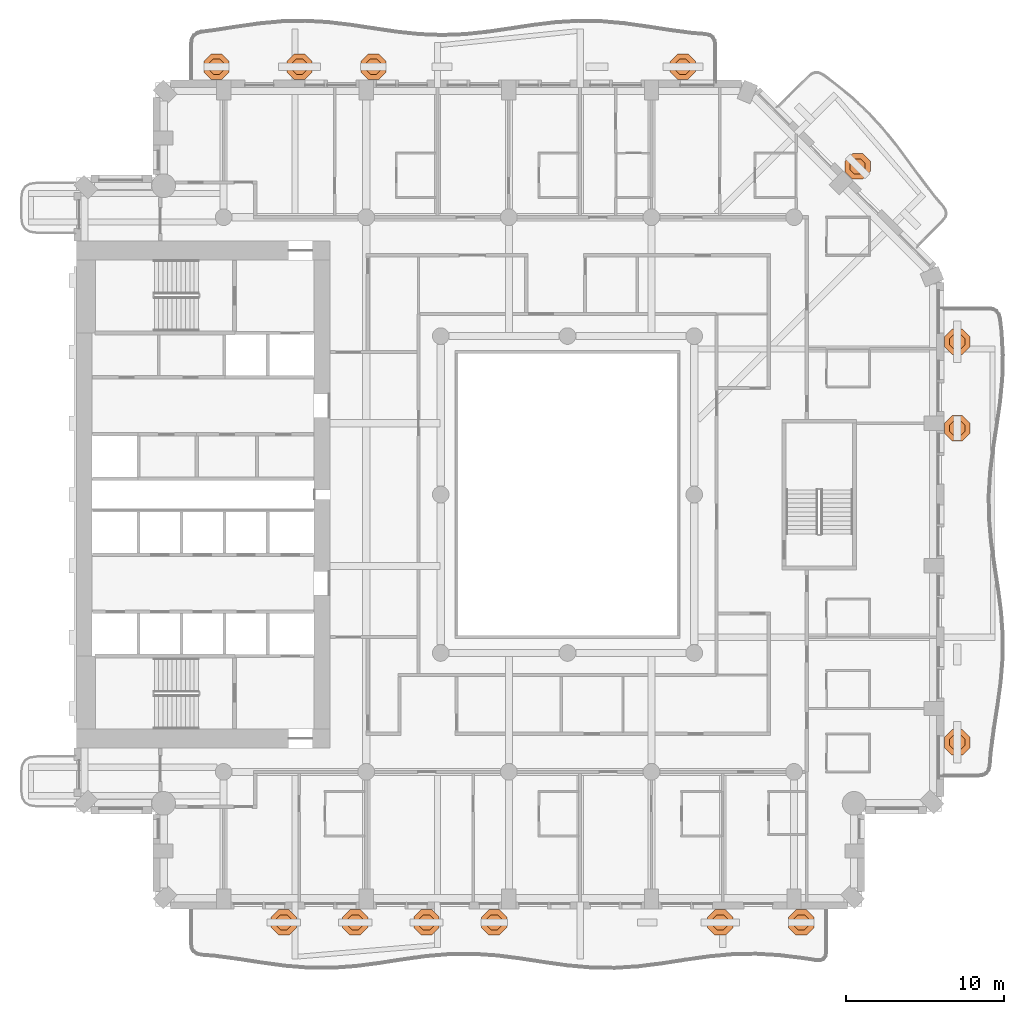
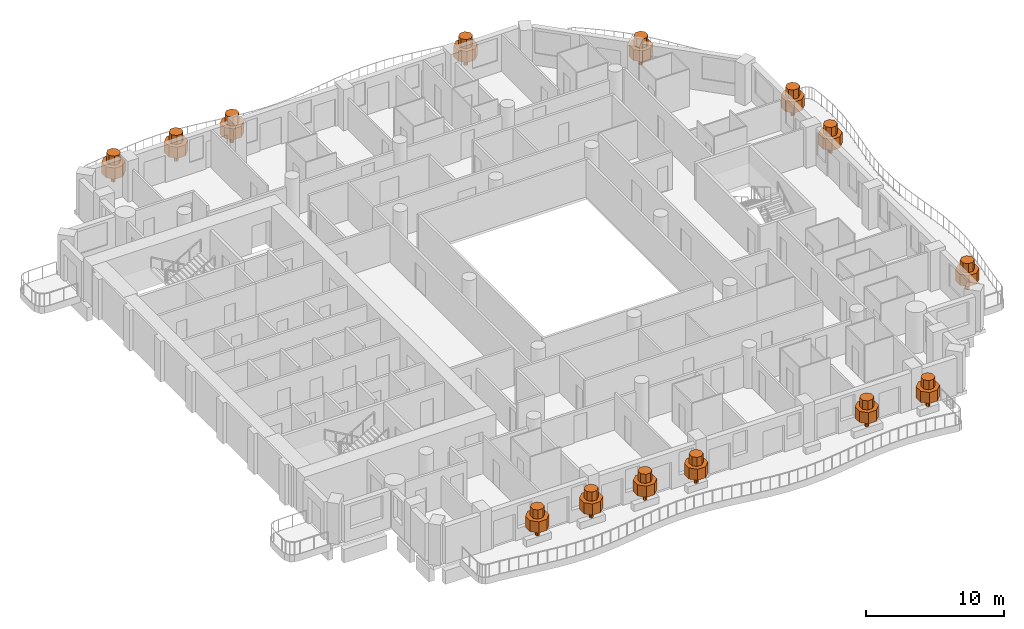
# One storey, part 20 of 20: 14 geographic elements.
"""IFC4 building model written with IfcOpenShell, lengths in metres."""

from ifc_helpers import new_model, si_unit, direction, frame, origin, place, context, subcontext, project, spatial, polyline, outline, extrude, material, type_object, element, save


model = new_model("IFC4")

# Units and contexts
model_context = context("Model", 3, precision=1e-05, world=origin(), true_north=direction((0.0, 1.0)))
body_context = subcontext(model_context, "Body", "Model", "MODEL_VIEW")
ifc_project = project(units=[si_unit("LENGTHUNIT", "METRE"), si_unit("AREAUNIT", "SQUARE_METRE"), si_unit("VOLUMEUNIT", "CUBIC_METRE"), si_unit("PLANEANGLEUNIT", "RADIAN"), si_unit("MASSUNIT", "GRAM", prefix="KILO")], contexts=[model_context])

# Site, building, storey
site_placement = place(None, origin())
site = spatial("IfcSite", under=ifc_project, at=site_placement, CompositionType="ELEMENT")
building_placement = place(site_placement, origin())
building = spatial("IfcBuilding", under=site, at=building_placement, Name="Cypress Arch Tower", CompositionType="ELEMENT")
storey_placement = place(building_placement, frame((0.0, 0.0, 131.10009765625)))
storey = spatial("IfcBuildingStorey", under=building, at=storey_placement, Name="L28", CompositionType="ELEMENT", Elevation=131.10009765625)

# Geographic elements
ifc_material = material(Name="Foliage and planting")
geographic_element_type = type_object("IfcGeographicElementType", Name="Balcony tree TR", PredefinedType="USERDEFINED", material=ifc_material)
for number, where, z_axis, x_axis, name in (
    (1, (-16.89990234375, -27.0, 0.599853515625), (0.0, 0.0, 1.0), (1.0, 0.0, 0.0), "Balcony tree L28-A03.1"),
    (2, (-12.39990234375, -27.0, 0.599853515625), (0.0, 0.0, 1.0), (1.0, 0.0, 0.0), "Balcony tree L28-A03.2"),
    (3, (-7.89990234375, -27.0, 0.599853515625), (0.0, 0.0, 1.0), (1.0, 0.0, 0.0), "Balcony tree L28-A03.3"),
    (4, (-3.625, -27.0, 0.599853515625), (0.0, 0.0, 1.0), (1.0, 0.0, 0.0), "Balcony tree L28-A03.4"),
    (5, (10.639892578125, -27.0, 0.599853515625), (0.0, 0.0, 1.0), (1.0, 0.0, 0.0), "Balcony tree L28-A03.6"),
    (6, (15.75, -27.0, 0.599853515625), (0.0, 0.0, 1.0), (1.0, 0.0, 0.0), "Balcony tree L28-A03.7"),
    (7, (25.60009765625, -15.642822265625, 0.599853515625), (0.0, 0.0, 1.0), (1.0, 0.0, 0.0), "Balcony tree L28-A06.1"),
    (8, (25.60009765625, 4.1826171875, 0.599853515625), (0.0, 0.0, 1.0), (1.0, 0.0, 0.0), "Balcony tree L28-A06.3"),
    (9, (25.60009765625, 9.642822265625, 0.599853515625), (0.0, 0.0, 1.0), (1.0, 0.0, 0.0), "Balcony tree L28-A06.4"),
    (10, (19.30712890625, 20.70703125, 0.599853515625), (0.0, 0.0, 1.0), (1.0, 0.0, 0.0), "Balcony tree L28-A07.2"),
    (11, (8.28125, 27.0, 0.599853515625), (0.0, 0.0, 1.0), (1.0, 0.0, 0.0), "Balcony tree L28-A08.1"),
    (12, (-11.24365234375, 27.0, 0.599853515625), (0.0, 0.0, 1.0), (1.0, 0.0, 0.0), "Balcony tree L28-A08.4"),
    (13, (-15.91259765625, 27.0, 0.599853515625), (0.0, 0.0, 1.0), (1.0, 0.0, 0.0), "Balcony tree L28-A08.5"),
    (14, (-21.14990234375, 27.0, 0.599853515625), (0.0, 0.0, 1.0), (1.0, 0.0, 0.0), "Balcony tree L28-A08.6"),
):
    element("IfcGeographicElement", number, at=place(storey_placement, frame(where, z_axis=z_axis, x_axis=x_axis)), inside=storey, type_object=geographic_element_type, Name=name, ObjectType="TREE", PredefinedType="USERDEFINED", context=body_context, shape_type="SweptSolid", body=[
        extrude(outline(polyline([(0.14990234375, 0.06201171875), (0.06201171875, 0.14990234375), (-0.06201171875, 0.14990234375), (-0.14990234375, 0.06201171875), (-0.14990234375, -0.06201171875), (-0.06201171875, -0.14990234375), (0.06201171875, -0.14990234375), (0.14990234375, -0.06201171875), (0.14990234375, 0.06201171875)])), origin(), (0.0, 0.0, 1.0), 0.864990234375),
        extrude(outline(polyline([(0.800048828125, 0.331298828125), (0.331298828125, 0.800048828125), (-0.331298828125, 0.800048828125), (-0.800048828125, 0.331298828125), (-0.800048828125, -0.331298828125), (-0.331298828125, -0.800048828125), (0.331298828125, -0.800048828125), (0.800048828125, -0.331298828125), (0.800048828125, 0.331298828125)])), frame((0.0, 0.0, 0.764892578125)), (0.0, 0.0, 1.0), 0.981689453125),
        extrude(outline(polyline([(0.47998046875, 0.19873046875), (0.19873046875, 0.47998046875), (-0.19873046875, 0.47998046875), (-0.47998046875, 0.19873046875), (-0.47998046875, -0.19873046875), (-0.19873046875, -0.47998046875), (0.19873046875, -0.47998046875), (0.47998046875, -0.19873046875), (0.47998046875, 0.19873046875)])), frame((0.0, 0.0, 1.746826171875)), (0.0, 0.0, 1.0), 0.80322265625),
    ])

save(model, "model.ifc")
